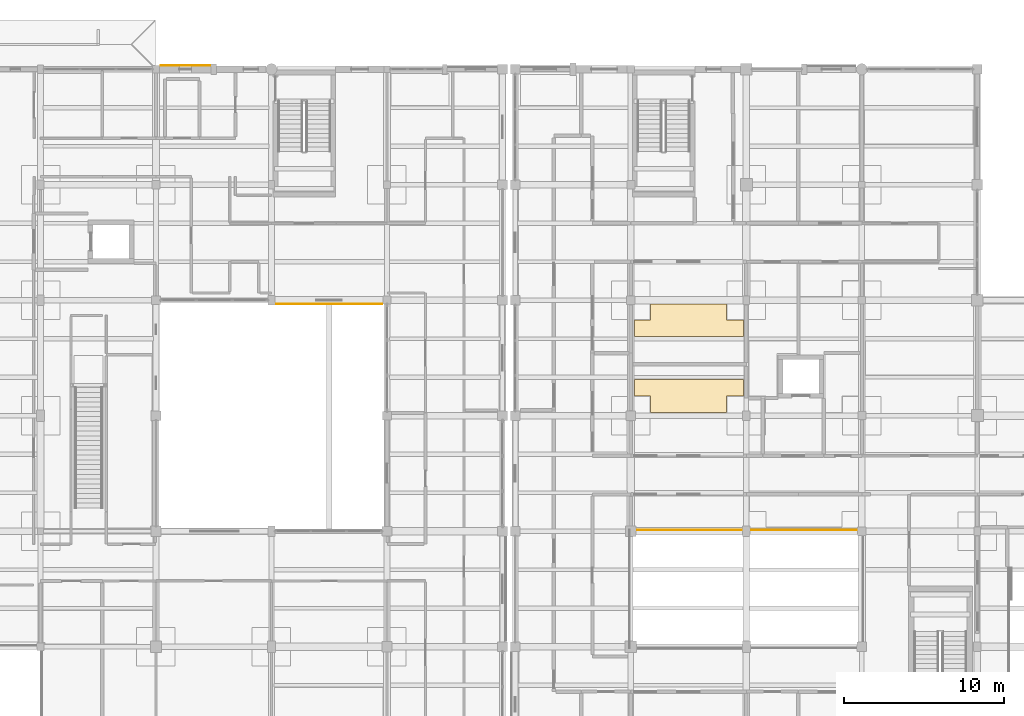
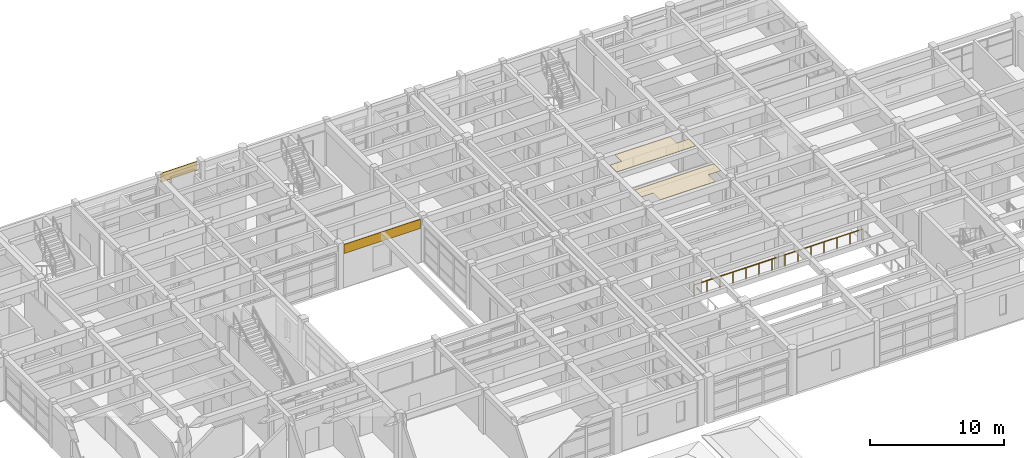
# One storey, part 106 of 110: 4 coverings, 1 railing.
"""IFC4 building model written with IfcOpenShell, lengths in metres."""

from ifc_helpers import new_model, si_unit, direction, frame, origin, origin_2d, place, context, subcontext, project, spatial, polyline, rectangle, circle, outline, extrude, material, layer, layer_set, type_object, element, save


model = new_model("IFC4")

# Units and contexts
model_context = context("Model", 3, precision=1e-05, world=origin(), true_north=direction((0.0, 1.0)))
body_context = subcontext(model_context, "Body", "Model", "MODEL_VIEW")
ifc_project = project(units=[si_unit("LENGTHUNIT", "METRE"), si_unit("AREAUNIT", "SQUARE_METRE"), si_unit("VOLUMEUNIT", "CUBIC_METRE"), si_unit("PLANEANGLEUNIT", "RADIAN"), si_unit("MASSUNIT", "GRAM", prefix="KILO")], contexts=[model_context])

# Site, building, storey
site_placement = place(None, origin())
site = spatial("IfcSite", under=ifc_project, at=site_placement, CompositionType="ELEMENT")
building_placement = place(site_placement, origin())
building = spatial("IfcBuilding", under=site, at=building_placement, Name="Steenspoor Specialist Clinic", CompositionType="ELEMENT")
storey_placement = place(building_placement, frame((0.0, 0.0, 4.800048828125)))
storey = spatial("IfcBuildingStorey", under=building, at=storey_placement, Name="L01", CompositionType="ELEMENT", Elevation=4.800048828125)

# Coverings
ifc_material_1 = material(Name="Washable acoustic mineral ceiling board", Category="gypsum")
ifc_layer_1 = layer(ifc_material_1, 0.02490234375)
ifc_layer_set_1 = layer_set([ifc_layer_1], Name="Washable acoustic mineral ceiling board")
covering_type_1 = type_object("IfcCoveringType", Name="COV-CEIL-ACOUSTIC", PredefinedType="CEILING", material=ifc_layer_set_1)
covering_1_placement = place(storey_placement, frame((0.0, 0.0, 3.925048828125)))
element("IfcCovering", 1, at=covering_1_placement, inside=storey, type_object=covering_type_1, Name="Acoustic Clinical Ceiling 126", PredefinedType="CEILING", context=body_context, shape_type="SweptSolid", body=[
    extrude(outline(polyline([(125.419921875, 89.010009765625), (132.22998046875, 89.010009765625), (132.22998046875, 87.969970703125), (131.179931640625, 87.969970703125), (131.179931640625, 86.945068359375), (126.419921875, 86.945068359375), (126.419921875, 87.969970703125), (125.419921875, 87.969970703125), (125.419921875, 89.010009765625)])), origin(), (0.0, 0.0, 1.0), 0.02490234375),
])
covering_2_placement = place(storey_placement, frame((0.0, 0.0, 3.925048828125)))
element("IfcCovering", 2, at=covering_2_placement, inside=storey, type_object=covering_type_1, Name="Acoustic Clinical Ceiling 132", PredefinedType="CEILING", context=body_context, shape_type="SweptSolid", body=[
    extrude(outline(polyline([(126.419921875, 92.72998046875), (126.419921875, 93.705078125), (131.179931640625, 93.705078125), (131.179931640625, 92.72998046875), (132.22998046875, 92.72998046875), (132.22998046875, 91.699951171875), (125.419921875, 91.699951171875), (125.419921875, 92.72998046875), (126.419921875, 92.72998046875)])), origin(), (0.0, 0.0, 1.0), 0.02490234375),
])
ifc_material_2 = material(Name="Glazed ceramic relief spandrel cladding", Category="masonry")
ifc_layer_2 = layer(ifc_material_2, 0.034912109375)
ifc_layer_set_2 = layer_set([ifc_layer_2], Name="Glazed ceramic relief spandrel cladding")
covering_type_2 = type_object("IfcCoveringType", Name="COV-CLAD-CERAMIC", PredefinedType="CLADDING", material=ifc_layer_set_2)
covering_3_placement = place(storey_placement, frame((97.427490234375, 108.580078125, 3.11474609375), z_axis=(0.0, 0.0, 1.0), x_axis=(1.0, 0.0, 0.0)))
element("IfcCovering", 3, at=covering_3_placement, inside=storey, type_object=covering_type_2, Name="Spandrel Cladding 35", PredefinedType="CLADDING", context=body_context, shape_type="SweptSolid", body=[
    extrude(rectangle(XDim=3.0849609375, YDim=0.0400390625, at=origin_2d()), origin(), (0.0, 0.0, 1.0), 0.840087890625),
])
covering_4_placement = place(storey_placement, frame((106.387451171875, 93.719970703125, 3.11474609375), z_axis=(0.0, 0.0, 1.0), x_axis=(-1.0, 0.0, 0.0)))
element("IfcCovering", 4, at=covering_4_placement, inside=storey, type_object=covering_type_2, Name="Spandrel Cladding 39", PredefinedType="CLADDING", context=body_context, shape_type="SweptSolid", body=[
    extrude(rectangle(XDim=6.60498046875, YDim=0.0400390625, at=origin_2d()), origin(), (0.0, 0.0, 1.0), 0.840087890625),
])

# Railing
ifc_material_3 = material(Name="Painted architectural steel balustrade", Category="steel")
railing_type = type_object("IfcRailingType", Name="RAIL-GUARD-1100", PredefinedType="GUARDRAIL", material=ifc_material_3)
railing_placement = place(storey_placement, frame((139.679931640625, 79.6298828125, 0.0)))
element("IfcRailing", 5, at=railing_placement, inside=storey, type_object=railing_type, Name="Atrium Gallery Guard V6 L01 3", PredefinedType="GUARDRAIL", context=body_context, shape_type="SweptSolid", body=[
    extrude(circle(Radius=0.02392578125, at=origin_2d()), frame((0.0, 0.0, 1.09619140625), z_axis=(-1.0, 0.0, 0.0), x_axis=(0.0, -1.0, 0.0)), (0.0, 0.0, 1.0), 14.559814453125),
    extrude(circle(Radius=0.02099609375, at=origin_2d()), origin(), (0.0, 0.0, 1.0), 1.072021484375),
    extrude(circle(Radius=0.02099609375, at=origin_2d()), frame((-1.119873046875, 0.0, 0.0)), (0.0, 0.0, 1.0), 1.072021484375),
    extrude(circle(Radius=0.02099609375, at=origin_2d()), frame((-2.239990234375, 0.0, 0.0)), (0.0, 0.0, 1.0), 1.072021484375),
    extrude(circle(Radius=0.02099609375, at=origin_2d()), frame((-3.35986328125, 0.0, 0.0)), (0.0, 0.0, 1.0), 1.072021484375),
    extrude(circle(Radius=0.02099609375, at=origin_2d()), frame((-4.47998046875, 0.0, 0.0)), (0.0, 0.0, 1.0), 1.072021484375),
    extrude(circle(Radius=0.02099609375, at=origin_2d()), frame((-5.599853515625, 0.0, 0.0)), (0.0, 0.0, 1.0), 1.072021484375),
    extrude(circle(Radius=0.02099609375, at=origin_2d()), frame((-6.719970703125, 0.0, 0.0)), (0.0, 0.0, 1.0), 1.072021484375),
    extrude(circle(Radius=0.02099609375, at=origin_2d()), frame((-7.83984375, 0.0, 0.0)), (0.0, 0.0, 1.0), 1.072021484375),
    extrude(circle(Radius=0.02099609375, at=origin_2d()), frame((-8.9599609375, 0.0, 0.0)), (0.0, 0.0, 1.0), 1.072021484375),
    extrude(circle(Radius=0.02099609375, at=origin_2d()), frame((-10.079833984375, 0.0, 0.0)), (0.0, 0.0, 1.0), 1.072021484375),
    extrude(circle(Radius=0.02099609375, at=origin_2d()), frame((-11.199951171875, 0.0, 0.0)), (0.0, 0.0, 1.0), 1.072021484375),
    extrude(circle(Radius=0.02099609375, at=origin_2d()), frame((-12.31982421875, 0.0, 0.0)), (0.0, 0.0, 1.0), 1.072021484375),
    extrude(circle(Radius=0.02099609375, at=origin_2d()), frame((-13.43994140625, 0.0, 0.0)), (0.0, 0.0, 1.0), 1.072021484375),
    extrude(circle(Radius=0.02099609375, at=origin_2d()), frame((-14.559814453125, 0.0, 0.0)), (0.0, 0.0, 1.0), 1.072021484375),
])

save(model, "model.ifc")
